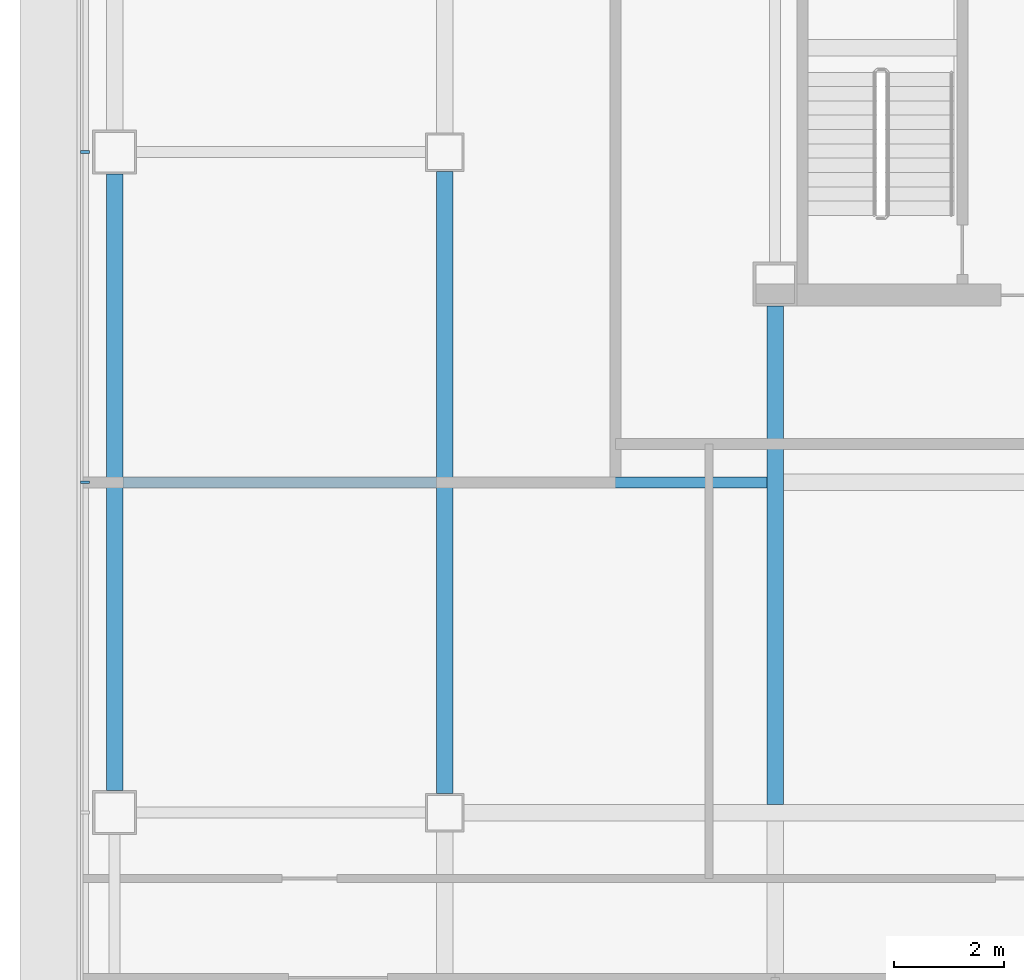
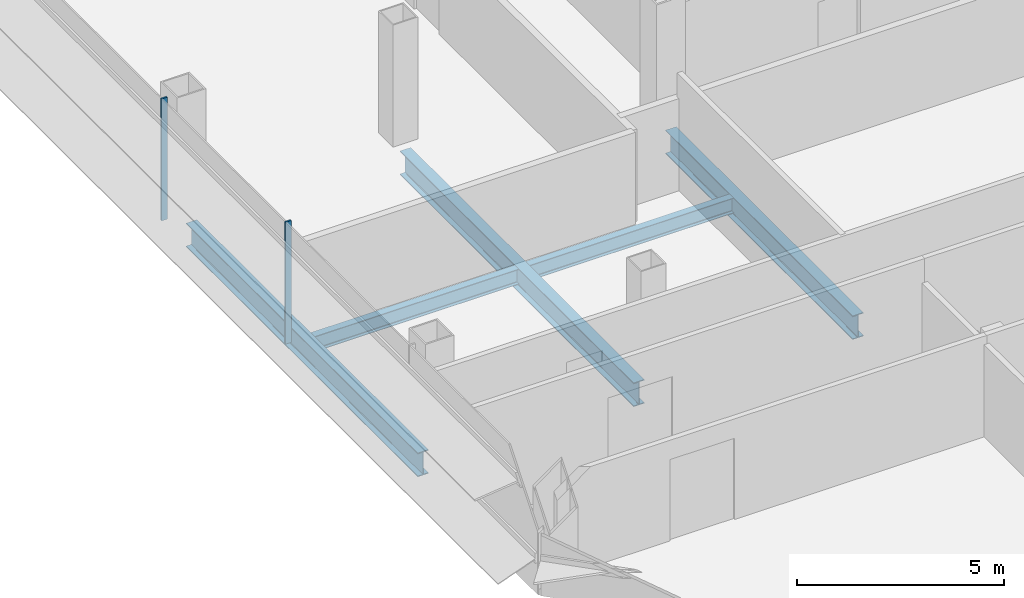
# One storey, part 4 of 25: 5 beams, 2 members, 1 element without a shape of its own.
"""IFC4 building model written with IfcOpenShell, lengths in metres."""

from ifc_helpers import new_model, si_unit, direction, frame, origin, origin_2d, place, context, subcontext, project, spatial, rectangle, i_section, extrude, material, material_profile, profile_set, type_object, element, aggregate, save


model = new_model("IFC4")

# Units and contexts
model_context = context("Model", 3, precision=1e-05, world=origin(), true_north=direction((0.0, 1.0)))
body_context = subcontext(model_context, "Body", "Model", "MODEL_VIEW")
ifc_project = project(units=[si_unit("LENGTHUNIT", "METRE"), si_unit("AREAUNIT", "SQUARE_METRE"), si_unit("VOLUMEUNIT", "CUBIC_METRE"), si_unit("PLANEANGLEUNIT", "RADIAN"), si_unit("MASSUNIT", "GRAM", prefix="KILO")], contexts=[model_context])

# Site, building, storey
site_placement = place(None, origin())
site = spatial("IfcSite", under=ifc_project, at=site_placement, CompositionType="ELEMENT")
building_placement = place(site_placement, origin())
building = spatial("IfcBuilding", under=site, at=building_placement, Name="Sorahane Residences", CompositionType="ELEMENT")
storey_placement = place(building_placement, frame((0.0, 0.0, 107.0)))
storey = spatial("IfcBuildingStorey", under=building, at=storey_placement, Name="L23", CompositionType="ELEMENT", Elevation=107.0)

# Curtain wall, members
ifc_material_1 = material(Name="Dark low-e glass and black anodised aluminium", Category="aluminium")
curtain_wall_type = type_object("IfcCurtainWallType", Name="Curtain wall CW-1 Typical unitised wall", PredefinedType="NOTDEFINED", material=ifc_material_1)
curtain_wall_placement = place(storey_placement, origin())
curtain_wall = element("IfcCurtainWall", 1, at=curtain_wall_placement, inside=storey, type_object=curtain_wall_type, Name="CW-1 curtain wall L23 W1", PredefinedType="NOTDEFINED")
ifc_material_2 = material(Name="Black anodised aluminium", Category="aluminium")
ifc_material_profile_1 = material_profile(ifc_material_2, rectangle(XDim=0.159912109375, YDim=0.050048828125, at=origin_2d()), Name="Curtain wall mullion CW-1 black anodised aluminium 50x160")
ifc_profile_set_1 = profile_set([ifc_material_profile_1], Name="Black anodised aluminium")
member_type = type_object("IfcMemberType", Name="Curtain wall mullion CW-1 black anodised aluminium 50x160", PredefinedType="MULLION", material=ifc_profile_set_1)
member_1_placement = place(storey_placement, frame((-6.5400390625, 24.0, -0.179931640625), z_axis=(0.0, 0.0, 1.0), x_axis=(-1.0, 0.0, 0.0)))
member_1 = element("IfcMember", 2, at=member_1_placement, type_object=member_type, Name="CW-1 mullion L23 W1.4", PredefinedType="MULLION", context=body_context, shape_type="SweptSolid", body=[
    extrude(rectangle(XDim=0.159912109375, YDim=0.050048828125, at=origin_2d()), origin(), (0.0, 0.0, 1.0), 3.599853515625),
])
member_2_placement = place(storey_placement, frame((-6.5400390625, 18.0, -0.179931640625), z_axis=(0.0, 0.0, 1.0), x_axis=(-1.0, 0.0, 0.0)))
member_2 = element("IfcMember", 3, at=member_2_placement, type_object=member_type, Name="CW-1 mullion L23 W1.5", PredefinedType="MULLION", context=body_context, shape_type="SweptSolid", body=[
    extrude(rectangle(XDim=0.159912109375, YDim=0.050048828125, at=origin_2d()), origin(), (0.0, 0.0, 1.0), 3.599853515625),
])
aggregate(curtain_wall, [member_1, member_2])

# Beams
ifc_material_3 = material(Name="Steel Q355B", Category="steel")
ifc_material_profile_2 = material_profile(ifc_material_3, i_section(OverallWidth=0.199951171875, OverallDepth=0.449951171875, WebThickness=0.009033203125, FlangeThickness=0.013916015625, FilletRadius=0.02001953125, at=origin_2d()), Name="HN 450x200x9x14")
ifc_profile_set_2 = profile_set([ifc_material_profile_2], Name="Steel Q355B")
beam_type_1 = type_object("IfcBeamType", Name="Steel floor beam HN 450x200x9x14 Q355B", PredefinedType="BEAM", material=ifc_profile_set_2)
for number, where, z_axis, x_axis, name in (
    (4, (-5.85009765625, 18.0, -0.405029296875), (1.0, 0.0, 0.0), (0.0, 1.0, 0.0), "Beam L23 078"),
    (5, (0.14990234375, 18.0, -0.405029296875), (1.0, 0.0, 0.0), (0.0, 1.0, 0.0), "Beam L23 079"),
):
    element("IfcBeam", number, at=place(storey_placement, frame(where, z_axis=z_axis, x_axis=x_axis)), inside=storey, type_object=beam_type_1, Name=name, PredefinedType="BEAM", context=body_context, shape_type="SweptSolid", body=[
        extrude(i_section(OverallWidth=0.199951171875, OverallDepth=0.449951171875, WebThickness=0.009033203125, FlangeThickness=0.013916015625, FilletRadius=0.02001953125, at=origin_2d()), origin(), (0.0, 0.0, 1.0), 5.7001953125),
    ])
ifc_material_4 = material(Name="Steel Q355B", Category="steel")
ifc_material_profile_3 = material_profile(ifc_material_4, i_section(OverallWidth=0.300048828125, OverallDepth=0.699951171875, WebThickness=0.012939453125, FlangeThickness=0.02392578125, FilletRadius=0.028076171875, at=origin_2d()), Name="HN 700x300x13x24")
ifc_profile_set_3 = profile_set([ifc_material_profile_3], Name="Steel Q355B")
beam_type_2 = type_object("IfcBeamType", Name="Steel floor beam HN 700x300x13x24 Q355B", PredefinedType="BEAM", material=ifc_profile_set_3)
beam_1_placement = place(storey_placement, frame((-6.0, 12.39990234375, -0.530029296875), z_axis=(0.0, 1.0, 0.0), x_axis=(-1.0, 0.0, 0.0)))
element("IfcBeam", 6, at=beam_1_placement, inside=storey, type_object=beam_type_2, Name="Beam L23 021", PredefinedType="BEAM", context=body_context, shape_type="SweptSolid", body=[
    extrude(i_section(OverallWidth=0.300048828125, OverallDepth=0.699951171875, WebThickness=0.012939453125, FlangeThickness=0.02392578125, FilletRadius=0.028076171875, at=origin_2d()), origin(), (0.0, 0.0, 1.0), 11.2001953125),
])
beam_2_placement = place(storey_placement, frame((0.0, 12.35009765625, -0.530029296875), z_axis=(0.0, 1.0, 0.0), x_axis=(-1.0, 0.0, 0.0)))
element("IfcBeam", 7, at=beam_2_placement, inside=storey, type_object=beam_type_2, Name="Beam L23 025", PredefinedType="BEAM", context=body_context, shape_type="SweptSolid", body=[
    extrude(i_section(OverallWidth=0.300048828125, OverallDepth=0.699951171875, WebThickness=0.012939453125, FlangeThickness=0.02392578125, FilletRadius=0.028076171875, at=origin_2d()), origin(), (0.0, 0.0, 1.0), 11.2998046875),
])
beam_3_placement = place(storey_placement, frame((6.0, 12.14990234375, -0.530029296875), z_axis=(0.0, 1.0, 0.0), x_axis=(-1.0, 0.0, 0.0)))
element("IfcBeam", 8, at=beam_3_placement, inside=storey, type_object=beam_type_2, Name="Beam L23 029", PredefinedType="BEAM", context=body_context, shape_type="SweptSolid", body=[
    extrude(i_section(OverallWidth=0.300048828125, OverallDepth=0.699951171875, WebThickness=0.012939453125, FlangeThickness=0.02392578125, FilletRadius=0.028076171875, at=origin_2d()), origin(), (0.0, 0.0, 1.0), 9.050048828125),
])

save(model, "model.ifc")
